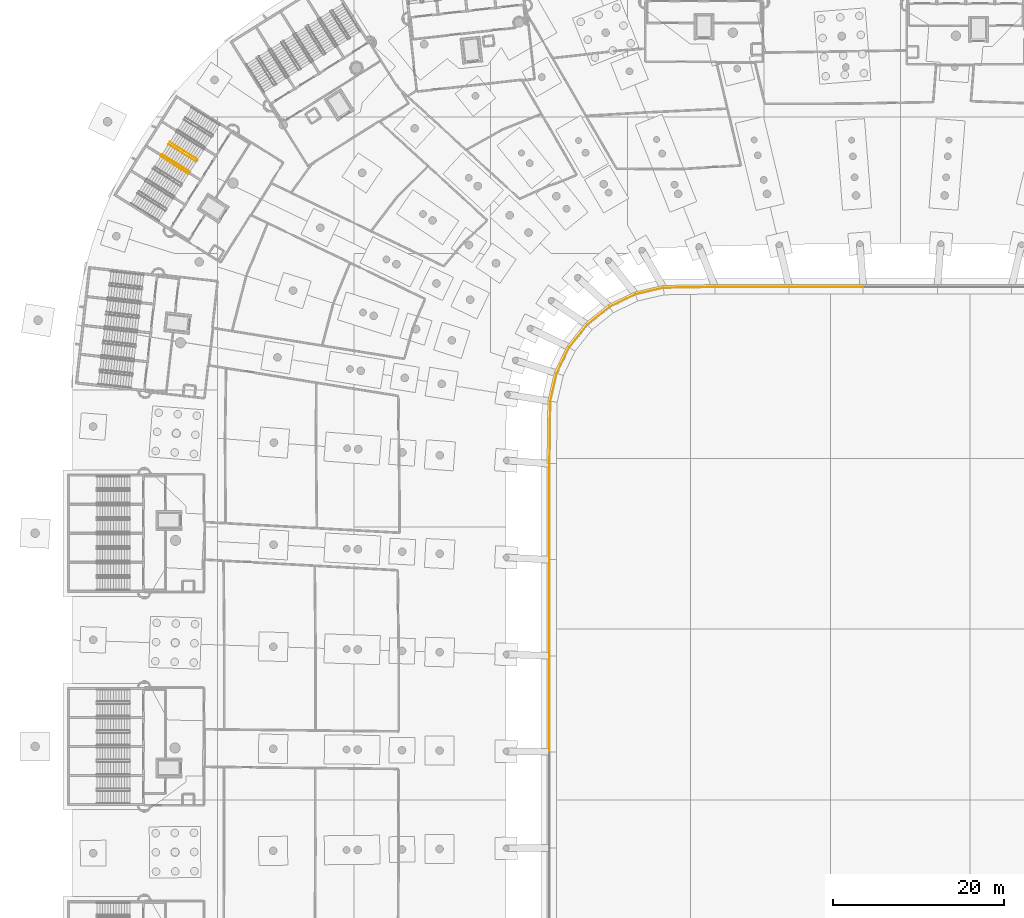
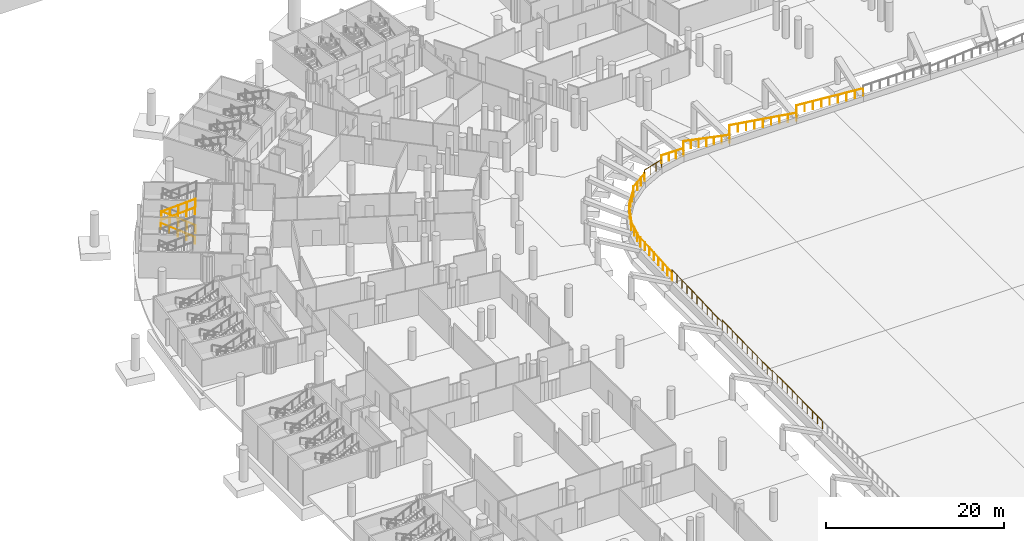
# One storey, part 130 of 142: 17 railings.
"""IFC4 building model written with IfcOpenShell, lengths in metres."""

from ifc_helpers import new_model, si_unit, direction, frame, origin, origin_2d, place, context, subcontext, project, spatial, circle, extrude, material, type_object, element, save


model = new_model("IFC4")

# Units and contexts
model_context = context("Model", 3, precision=1e-05, world=origin(), true_north=direction((0.0, 1.0)))
body_context = subcontext(model_context, "Body", "Model", "MODEL_VIEW")
ifc_project = project(units=[si_unit("LENGTHUNIT", "METRE"), si_unit("AREAUNIT", "SQUARE_METRE"), si_unit("VOLUMEUNIT", "CUBIC_METRE"), si_unit("PLANEANGLEUNIT", "RADIAN"), si_unit("MASSUNIT", "GRAM", prefix="KILO")], contexts=[model_context])

# Site, building, storey
site_placement = place(None, origin())
site = spatial("IfcSite", under=ifc_project, at=site_placement, CompositionType="ELEMENT")
building_placement = place(site_placement, origin())
building = spatial("IfcBuilding", under=site, at=building_placement, Name="Meseta Stadium", CompositionType="ELEMENT")
storey_placement = place(building_placement, frame((0.0, 0.0, -4.0)))
storey = spatial("IfcBuildingStorey", under=building, at=storey_placement, Name="B1", CompositionType="ELEMENT", Elevation=-4.0)

# Railings
ifc_material_1 = material(Name="Steel S355", Category="steel")
railing_type_1 = type_object("IfcRailingType", Name="Stair guard 1100", PredefinedType="GUARDRAIL", material=ifc_material_1)
railing_1_placement = place(storey_placement, frame((-82.356201171875, 75.029052734375, 0.15380859375)))
element("IfcRailing", 1, at=railing_1_placement, inside=storey, type_object=railing_type_1, Name="ST54 B1 guard 1", PredefinedType="GUARDRAIL", context=body_context, shape_type="SweptSolid", body=[
    extrude(circle(Radius=0.02392578125, at=origin_2d()), frame((0.0, 0.0, 1.076171875), z_axis=(-0.763116583952, 0.479483373968, 0.433299865434), x_axis=(-0.532020497206, -0.84673147488, 0.0)), (0.0, 0.0, 1.0), 4.2607421875),
    extrude(circle(Radius=0.02099609375, at=origin_2d()), origin(), (0.0, 0.0, 1.0), 1.052001953125),
    extrude(circle(Radius=0.02099609375, at=origin_2d()), frame((-0.81298828125, 0.5107421875, 0.46142578125)), (0.0, 0.0, 1.0), 1.052001953125),
    extrude(circle(Radius=0.02099609375, at=origin_2d()), frame((-1.625732421875, 1.021484375, 0.923095703125)), (0.0, 0.0, 1.0), 1.052001953125),
    extrude(circle(Radius=0.02099609375, at=origin_2d()), frame((-2.4384765625, 1.5322265625, 1.384765625)), (0.0, 0.0, 1.0), 1.052001953125),
    extrude(circle(Radius=0.02099609375, at=origin_2d()), frame((-3.25146484375, 2.04296875, 1.84619140625)), (0.0, 0.0, 1.0), 1.052001953125),
])
railing_2_placement = place(storey_placement, frame((-85.767333984375, 76.818115234375, 2.15380859375)))
element("IfcRailing", 2, at=railing_2_placement, inside=storey, type_object=railing_type_1, Name="ST54 B1 guard 3", PredefinedType="GUARDRAIL", context=body_context, shape_type="SweptSolid", body=[
    extrude(circle(Radius=0.02392578125, at=origin_2d()), frame((0.0, 0.0, 1.076171875), z_axis=(0.763116583952, -0.479483373968, 0.433299865434), x_axis=(0.532020497206, 0.84673147488, 0.0)), (0.0, 0.0, 1.0), 4.2607421875),
    extrude(circle(Radius=0.02099609375, at=origin_2d()), origin(), (0.0, 0.0, 1.0), 1.052001953125),
    extrude(circle(Radius=0.02099609375, at=origin_2d()), frame((0.81298828125, -0.5107421875, 0.46142578125)), (0.0, 0.0, 1.0), 1.052001953125),
    extrude(circle(Radius=0.02099609375, at=origin_2d()), frame((1.625732421875, -1.021484375, 0.923095703125)), (0.0, 0.0, 1.0), 1.052001953125),
    extrude(circle(Radius=0.02099609375, at=origin_2d()), frame((2.4384765625, -1.5322265625, 1.384765625)), (0.0, 0.0, 1.0), 1.052001953125),
    extrude(circle(Radius=0.02099609375, at=origin_2d()), frame((3.25146484375, -2.04296875, 1.84619140625)), (0.0, 0.0, 1.0), 1.052001953125),
])
ifc_material_2 = material(Name="Steel S355", Category="steel")
railing_type_2 = type_object("IfcRailingType", Name="Stair handrail 900", PredefinedType="HANDRAIL", material=ifc_material_2)
railing_3_placement = place(storey_placement, frame((-86.51220703125, 75.632568359375, 2.15380859375)))
element("IfcRailing", 3, at=railing_3_placement, inside=storey, type_object=railing_type_2, Name="ST54 B1 handrail 2", PredefinedType="HANDRAIL", context=body_context, shape_type="SweptSolid", body=[
    extrude(circle(Radius=0.02392578125, at=origin_2d()), frame((0.0, 0.0, 0.8759765625), z_axis=(0.763116583952, -0.479483373968, 0.433299865434), x_axis=(0.532020497206, 0.84673147488, 0.0)), (0.0, 0.0, 1.0), 4.2607421875),
    extrude(circle(Radius=0.02099609375, at=origin_2d()), origin(), (0.0, 0.0, 1.0), 0.851806640625),
    extrude(circle(Radius=0.02099609375, at=origin_2d()), frame((0.81298828125, -0.5107421875, 0.46142578125)), (0.0, 0.0, 1.0), 0.851806640625),
    extrude(circle(Radius=0.02099609375, at=origin_2d()), frame((1.625732421875, -1.021484375, 0.923095703125)), (0.0, 0.0, 1.0), 0.851806640625),
    extrude(circle(Radius=0.02099609375, at=origin_2d()), frame((2.4384765625, -1.5322265625, 1.384765625)), (0.0, 0.0, 1.0), 0.851806640625),
    extrude(circle(Radius=0.02099609375, at=origin_2d()), frame((3.25146484375, -2.04296875, 1.84619140625)), (0.0, 0.0, 1.0), 0.851806640625),
])
railing_4_placement = place(storey_placement, frame((-83.42041015625, 73.335693359375, 0.15380859375)))
element("IfcRailing", 4, at=railing_4_placement, inside=storey, type_object=railing_type_2, Name="ST55 B1 handrail 1", PredefinedType="HANDRAIL", context=body_context, shape_type="SweptSolid", body=[
    extrude(circle(Radius=0.02392578125, at=origin_2d()), frame((0.0, 0.0, 0.8759765625), z_axis=(-0.763116583952, 0.479483373968, 0.433299865434), x_axis=(-0.532020497206, -0.84673147488, 0.0)), (0.0, 0.0, 1.0), 4.2607421875),
    extrude(circle(Radius=0.02099609375, at=origin_2d()), origin(), (0.0, 0.0, 1.0), 0.851806640625),
    extrude(circle(Radius=0.02099609375, at=origin_2d()), frame((-0.81298828125, 0.5107421875, 0.46142578125)), (0.0, 0.0, 1.0), 0.851806640625),
    extrude(circle(Radius=0.02099609375, at=origin_2d()), frame((-1.625732421875, 1.021484375, 0.923095703125)), (0.0, 0.0, 1.0), 0.851806640625),
    extrude(circle(Radius=0.02099609375, at=origin_2d()), frame((-2.4384765625, 1.5322265625, 1.384765625)), (0.0, 0.0, 1.0), 0.851806640625),
    extrude(circle(Radius=0.02099609375, at=origin_2d()), frame((-3.25146484375, 2.04296875, 1.84619140625)), (0.0, 0.0, 1.0), 0.851806640625),
])
ifc_material_3 = material(Name="Steel S355", Category="steel")
railing_type_3 = type_object("IfcRailingType", Name="Stand edge guard 1100", PredefinedType="GUARDRAIL", material=ifc_material_3)
railing_5_placement = place(storey_placement, frame((-4.34130859375, 60.099609375, 0.704345703125)))
element("IfcRailing", 5, at=railing_5_placement, inside=storey, type_object=railing_type_3, Name="Stand lower tier front guard bay 20", PredefinedType="GUARDRAIL", context=body_context, shape_type="SweptSolid", body=[
    extrude(circle(Radius=0.02490234375, at=origin_2d()), frame((0.0, 0.0, 1.0751953125), z_axis=(-0.996830558854, -0.000252284104, 0.079553587526), x_axis=(0.000253086238, -0.999999967974, 0.0)), (0.0, 0.0, 1.0), 8.70947265625),
    extrude(circle(Radius=0.02001953125, at=origin_2d()), origin(), (0.0, 0.0, 1.0), 1.050048828125),
    extrude(circle(Radius=0.02001953125, at=origin_2d()), frame((-1.085205078125, -0.000244140625, 0.086669921875)), (0.0, 0.0, 1.0), 1.050048828125),
    extrude(circle(Radius=0.02001953125, at=origin_2d()), frame((-2.17041015625, -0.00048828125, 0.17333984375)), (0.0, 0.0, 1.0), 1.050048828125),
    extrude(circle(Radius=0.02001953125, at=origin_2d()), frame((-3.255615234375, -0.000732421875, 0.259765625)), (0.0, 0.0, 1.0), 1.050048828125),
    extrude(circle(Radius=0.02001953125, at=origin_2d()), frame((-4.3408203125, -0.0009765625, 0.346435546875)), (0.0, 0.0, 1.0), 1.050048828125),
    extrude(circle(Radius=0.02001953125, at=origin_2d()), frame((-5.42626953125, -0.00146484375, 0.43310546875)), (0.0, 0.0, 1.0), 1.050048828125),
    extrude(circle(Radius=0.02001953125, at=origin_2d()), frame((-6.511474609375, -0.001708984375, 0.51953125)), (0.0, 0.0, 1.0), 1.050048828125),
    extrude(circle(Radius=0.02001953125, at=origin_2d()), frame((-7.5966796875, -0.001953125, 0.606201171875)), (0.0, 0.0, 1.0), 1.050048828125),
    extrude(circle(Radius=0.02001953125, at=origin_2d()), frame((-8.681884765625, -0.002197265625, 0.69287109375)), (0.0, 0.0, 1.0), 1.050048828125),
])
railing_6_placement = place(storey_placement, frame((-13.023193359375, 60.097412109375, 0.382080078125)))
element("IfcRailing", 6, at=railing_6_placement, inside=storey, type_object=railing_type_3, Name="Stand lower tier front guard bay 21", PredefinedType="GUARDRAIL", context=body_context, shape_type="SweptSolid", body=[
    extrude(circle(Radius=0.02490234375, at=origin_2d()), frame((0.0, 0.0, 1.0751953125), z_axis=(-0.988338128851, -0.000500353996, 0.152274399377), x_axis=(0.000506257845, -0.999999871851, 0.0)), (0.0, 0.0, 1.0), 8.782958984375),
    extrude(circle(Radius=0.02001953125, at=origin_2d()), origin(), (0.0, 0.0, 1.0), 1.050048828125),
    extrude(circle(Radius=0.02001953125, at=origin_2d()), frame((-1.0849609375, -0.00048828125, 0.167236328125)), (0.0, 0.0, 1.0), 1.050048828125),
    extrude(circle(Radius=0.02001953125, at=origin_2d()), frame((-2.170166015625, -0.0009765625, 0.33447265625)), (0.0, 0.0, 1.0), 1.050048828125),
    extrude(circle(Radius=0.02001953125, at=origin_2d()), frame((-3.255126953125, -0.001708984375, 0.50146484375)), (0.0, 0.0, 1.0), 1.050048828125),
    extrude(circle(Radius=0.02001953125, at=origin_2d()), frame((-4.34033203125, -0.002197265625, 0.668701171875)), (0.0, 0.0, 1.0), 1.050048828125),
    extrude(circle(Radius=0.02001953125, at=origin_2d()), frame((-5.42529296875, -0.002685546875, 0.8359375)), (0.0, 0.0, 1.0), 1.050048828125),
    extrude(circle(Radius=0.02001953125, at=origin_2d()), frame((-6.51025390625, -0.00341796875, 1.0029296875)), (0.0, 0.0, 1.0), 1.050048828125),
    extrude(circle(Radius=0.02001953125, at=origin_2d()), frame((-7.595458984375, -0.00390625, 1.170166015625)), (0.0, 0.0, 1.0), 1.050048828125),
    extrude(circle(Radius=0.02001953125, at=origin_2d()), frame((-8.680419921875, -0.00439453125, 1.33740234375)), (0.0, 0.0, 1.0), 1.050048828125),
])
railing_7_placement = place(storey_placement, frame((-21.70361328125, 60.093017578125, 0.40087890625)))
element("IfcRailing", 7, at=railing_7_placement, inside=storey, type_object=railing_type_3, Name="Stand lower tier front guard bay 22", PredefinedType="GUARDRAIL", context=body_context, shape_type="SweptSolid", body=[
    extrude(circle(Radius=0.02490234375, at=origin_2d()), frame((0.0, 0.0, 1.0751953125), z_axis=(-0.977386786679, -0.016354458427, 0.21082599677), x_axis=(0.016730499741, -0.999860035394, 0.0)), (0.0, 0.0, 1.0), 6.165283203125),
    extrude(circle(Radius=0.02001953125, at=origin_2d()), origin(), (0.0, 0.0, 1.0), 1.050048828125),
    extrude(circle(Radius=0.02001953125, at=origin_2d()), frame((-1.00439453125, -0.016845703125, 0.216552734375)), (0.0, 0.0, 1.0), 1.050048828125),
    extrude(circle(Radius=0.02001953125, at=origin_2d()), frame((-2.008544921875, -0.03369140625, 0.433349609375)), (0.0, 0.0, 1.0), 1.050048828125),
    extrude(circle(Radius=0.02001953125, at=origin_2d()), frame((-3.012939453125, -0.05029296875, 0.64990234375)), (0.0, 0.0, 1.0), 1.050048828125),
    extrude(circle(Radius=0.02001953125, at=origin_2d()), frame((-4.017333984375, -0.067138671875, 0.866455078125)), (0.0, 0.0, 1.0), 1.050048828125),
    extrude(circle(Radius=0.02001953125, at=origin_2d()), frame((-5.021484375, -0.083984375, 1.083251953125)), (0.0, 0.0, 1.0), 1.050048828125),
    extrude(circle(Radius=0.02001953125, at=origin_2d()), frame((-6.02587890625, -0.100830078125, 1.2998046875)), (0.0, 0.0, 1.0), 1.050048828125),
])
railing_8_placement = place(storey_placement, frame((-27.7294921875, 59.9921875, 0.7333984375)))
element("IfcRailing", 8, at=railing_8_placement, inside=storey, type_object=railing_type_3, Name="Stand lower tier front guard bay 23", PredefinedType="GUARDRAIL", context=body_context, shape_type="SweptSolid", body=[
    extrude(circle(Radius=0.02490234375, at=origin_2d()), frame((0.0, 0.0, 1.0751953125), z_axis=(-0.957750151687, -0.220269732643, 0.184921312519), x_axis=(0.224135320488, -0.974558032192, 0.0)), (0.0, 0.0, 1.0), 3.4326171875),
    extrude(circle(Radius=0.02001953125, at=origin_2d()), origin(), (0.0, 0.0, 1.0), 1.050048828125),
    extrude(circle(Radius=0.02001953125, at=origin_2d()), frame((-1.095947265625, -0.251953125, 0.211669921875)), (0.0, 0.0, 1.0), 1.050048828125),
    extrude(circle(Radius=0.02001953125, at=origin_2d()), frame((-2.191650390625, -0.504150390625, 0.423095703125)), (0.0, 0.0, 1.0), 1.050048828125),
    extrude(circle(Radius=0.02001953125, at=origin_2d()), frame((-3.28759765625, -0.756103515625, 0.634765625)), (0.0, 0.0, 1.0), 1.050048828125),
])
railing_9_placement = place(storey_placement, frame((-31.01708984375, 59.236083984375, 0.791748046875)))
element("IfcRailing", 9, at=railing_9_placement, inside=storey, type_object=railing_type_3, Name="Stand lower tier front guard bay 24", PredefinedType="GUARDRAIL", context=body_context, shape_type="SweptSolid", body=[
    extrude(circle(Radius=0.02490234375, at=origin_2d()), frame((0.0, 0.0, 1.0751953125), z_axis=(-0.889933187365, -0.430086681868, 0.151803715722), x_axis=(0.435129546324, -0.900367856998, 0.0)), (0.0, 0.0, 1.0), 3.412841796875),
    extrude(circle(Radius=0.02001953125, at=origin_2d()), origin(), (0.0, 0.0, 1.0), 1.050048828125),
    extrude(circle(Radius=0.02001953125, at=origin_2d()), frame((-1.012451171875, -0.4892578125, 0.172607421875)), (0.0, 0.0, 1.0), 1.050048828125),
    extrude(circle(Radius=0.02001953125, at=origin_2d()), frame((-2.024658203125, -0.978515625, 0.345458984375)), (0.0, 0.0, 1.0), 1.050048828125),
    extrude(circle(Radius=0.02001953125, at=origin_2d()), frame((-3.037109375, -1.4677734375, 0.51806640625)), (0.0, 0.0, 1.0), 1.050048828125),
])
railing_10_placement = place(storey_placement, frame((-34.05419921875, 57.768310546875, 0.8544921875)))
element("IfcRailing", 10, at=railing_10_placement, inside=storey, type_object=railing_type_3, Name="Stand lower tier front guard bay 25", PredefinedType="GUARDRAIL", context=body_context, shape_type="SweptSolid", body=[
    extrude(circle(Radius=0.02490234375, at=origin_2d()), frame((0.0, 0.0, 1.0751953125), z_axis=(-0.775984803818, -0.620054561139, 0.115671627695), x_axis=(0.624244799045, -0.781228795466, 0.0)), (0.0, 0.0, 1.0), 3.39599609375),
    extrude(circle(Radius=0.02001953125, at=origin_2d()), origin(), (0.0, 0.0, 1.0), 1.050048828125),
    extrude(circle(Radius=0.02001953125, at=origin_2d()), frame((-0.87841796875, -0.701904296875, 0.130859375)), (0.0, 0.0, 1.0), 1.050048828125),
    extrude(circle(Radius=0.02001953125, at=origin_2d()), frame((-1.7568359375, -1.40380859375, 0.261962890625)), (0.0, 0.0, 1.0), 1.050048828125),
    extrude(circle(Radius=0.02001953125, at=origin_2d()), frame((-2.63525390625, -2.105712890625, 0.392822265625)), (0.0, 0.0, 1.0), 1.050048828125),
])
railing_11_placement = place(storey_placement, frame((-36.689453125, 55.66259765625, 0.92041015625)))
element("IfcRailing", 11, at=railing_11_placement, inside=storey, type_object=railing_type_3, Name="Stand lower tier front guard bay 26", PredefinedType="GUARDRAIL", context=body_context, shape_type="SweptSolid", body=[
    extrude(circle(Radius=0.02490234375, at=origin_2d()), frame((0.0, 0.0, 1.0751953125), z_axis=(-0.621107743399, -0.779920260037, 0.077133384955), x_axis=(0.782250755102, -0.62296368766, 0.0)), (0.0, 0.0, 1.0), 3.383544921875),
    extrude(circle(Radius=0.02001953125, at=origin_2d()), origin(), (0.0, 0.0, 1.0), 1.050048828125),
    extrude(circle(Radius=0.02001953125, at=origin_2d()), frame((-0.700439453125, -0.879638671875, 0.0869140625)), (0.0, 0.0, 1.0), 1.050048828125),
    extrude(circle(Radius=0.02001953125, at=origin_2d()), frame((-1.401123046875, -1.75927734375, 0.174072265625)), (0.0, 0.0, 1.0), 1.050048828125),
    extrude(circle(Radius=0.02001953125, at=origin_2d()), frame((-2.1015625, -2.638916015625, 0.260986328125)), (0.0, 0.0, 1.0), 1.050048828125),
])
railing_12_placement = place(storey_placement, frame((-38.791015625, 53.023681640625, 0.98828125)))
element("IfcRailing", 12, at=railing_12_placement, inside=storey, type_object=railing_type_3, Name="Stand lower tier front guard bay 27", PredefinedType="GUARDRAIL", context=body_context, shape_type="SweptSolid", body=[
    extrude(circle(Radius=0.02490234375, at=origin_2d()), frame((0.0, 0.0, 1.0751953125), z_axis=(-0.433314642165, -0.900478600393, 0.037104057992), x_axis=(0.901099090594, -0.43361322504, 0.0)), (0.0, 0.0, 1.0), 3.37548828125),
    extrude(circle(Radius=0.02001953125, at=origin_2d()), origin(), (0.0, 0.0, 1.0), 1.050048828125),
    extrude(circle(Radius=0.02001953125, at=origin_2d()), frame((-0.487548828125, -1.01318359375, 0.041748046875)), (0.0, 0.0, 1.0), 1.050048828125),
    extrude(circle(Radius=0.02001953125, at=origin_2d()), frame((-0.97509765625, -2.0263671875, 0.08349609375)), (0.0, 0.0, 1.0), 1.050048828125),
    extrude(circle(Radius=0.02001953125, at=origin_2d()), frame((-1.462646484375, -3.03955078125, 0.125244140625)), (0.0, 0.0, 1.0), 1.050048828125),
])
railing_13_placement = place(storey_placement, frame((-40.253662109375, 49.984130859375, 1.05712890625)))
element("IfcRailing", 13, at=railing_13_placement, inside=storey, type_object=railing_type_3, Name="Stand lower tier front guard bay 28", PredefinedType="GUARDRAIL", context=body_context, shape_type="SweptSolid", body=[
    extrude(circle(Radius=0.02490234375, at=origin_2d()), frame((0.0, 0.0, 1.0751953125), z_axis=(-0.222542206518, -0.974915793172, -0.003763315362), x_axis=(0.974922696888, -0.222543782416, 0.0)), (0.0, 0.0, 1.0), 3.37353515625),
    extrude(circle(Radius=0.02001953125, at=origin_2d()), origin(), (0.0, 0.0, 1.0), 1.050048828125),
    extrude(circle(Radius=0.02001953125, at=origin_2d()), frame((-0.250244140625, -1.09619140625, -0.004150390625)), (0.0, 0.0, 1.0), 1.050048828125),
    extrude(circle(Radius=0.02001953125, at=origin_2d()), frame((-0.50048828125, -2.192626953125, -0.008544921875)), (0.0, 0.0, 1.0), 1.050048828125),
    extrude(circle(Radius=0.02001953125, at=origin_2d()), frame((-0.750732421875, -3.288818359375, -0.0126953125)), (0.0, 0.0, 1.0), 1.050048828125),
])
railing_14_placement = place(storey_placement, frame((-41.00439453125, 46.6953125, 1.246826171875)))
element("IfcRailing", 14, at=railing_14_placement, inside=storey, type_object=railing_type_3, Name="Stand lower tier front guard bay 29", PredefinedType="GUARDRAIL", context=body_context, shape_type="SweptSolid", body=[
    extrude(circle(Radius=0.02490234375, at=origin_2d()), frame((0.0, 0.0, 1.0751953125), z_axis=(-0.01300108037, -0.99848297239, -0.053504446137), x_axis=(0.999915239727, -0.013019729684, 0.0)), (0.0, 0.0, 1.0), 7.32373046875),
    extrude(circle(Radius=0.02001953125, at=origin_2d()), origin(), (0.0, 0.0, 1.0), 1.050048828125),
    extrude(circle(Radius=0.02001953125, at=origin_2d()), frame((-0.013671875, -1.044677734375, -0.055908203125)), (0.0, 0.0, 1.0), 1.050048828125),
    extrude(circle(Radius=0.02001953125, at=origin_2d()), frame((-0.027099609375, -2.08935546875, -0.112060546875)), (0.0, 0.0, 1.0), 1.050048828125),
    extrude(circle(Radius=0.02001953125, at=origin_2d()), frame((-0.040771484375, -3.134033203125, -0.16796875)), (0.0, 0.0, 1.0), 1.050048828125),
    extrude(circle(Radius=0.02001953125, at=origin_2d()), frame((-0.054443359375, -4.178466796875, -0.223876953125)), (0.0, 0.0, 1.0), 1.050048828125),
    extrude(circle(Radius=0.02001953125, at=origin_2d()), frame((-0.068115234375, -5.22314453125, -0.27978515625)), (0.0, 0.0, 1.0), 1.050048828125),
    extrude(circle(Radius=0.02001953125, at=origin_2d()), frame((-0.08154296875, -6.267822265625, -0.3359375)), (0.0, 0.0, 1.0), 1.050048828125),
    extrude(circle(Radius=0.02001953125, at=origin_2d()), frame((-0.09521484375, -7.3125, -0.391845703125)), (0.0, 0.0, 1.0), 1.050048828125),
])
railing_15_placement = place(storey_placement, frame((-41.099609375, 39.3828125, 1.2392578125)))
element("IfcRailing", 15, at=railing_15_placement, inside=storey, type_object=railing_type_3, Name="Stand lower tier front guard bay 30", PredefinedType="GUARDRAIL", context=body_context, shape_type="SweptSolid", body=[
    extrude(circle(Radius=0.02490234375, at=origin_2d()), frame((0.0, 0.0, 1.0751953125), z_axis=(-2.1685018e-05, -0.999440783537, -0.033438297386), x_axis=(0.999999999765, -2.1697151e-05, 0.0)), (0.0, 0.0, 1.0), 11.258544921875),
    extrude(circle(Radius=0.02001953125, at=origin_2d()), origin(), (0.0, 0.0, 1.0), 1.050048828125),
    extrude(circle(Radius=0.02001953125, at=origin_2d()), frame((0.0, -1.125244140625, -0.03759765625)), (0.0, 0.0, 1.0), 1.050048828125),
    extrude(circle(Radius=0.02001953125, at=origin_2d()), frame((0.0, -2.25048828125, -0.0751953125)), (0.0, 0.0, 1.0), 1.050048828125),
    extrude(circle(Radius=0.02001953125, at=origin_2d()), frame((0.0, -3.375732421875, -0.113037109375)), (0.0, 0.0, 1.0), 1.050048828125),
    extrude(circle(Radius=0.02001953125, at=origin_2d()), frame((0.0, -4.5009765625, -0.150634765625)), (0.0, 0.0, 1.0), 1.050048828125),
    extrude(circle(Radius=0.02001953125, at=origin_2d()), frame((0.0, -5.6259765625, -0.188232421875)), (0.0, 0.0, 1.0), 1.050048828125),
    extrude(circle(Radius=0.02001953125, at=origin_2d()), frame((-0.000244140625, -6.751220703125, -0.225830078125)), (0.0, 0.0, 1.0), 1.050048828125),
    extrude(circle(Radius=0.02001953125, at=origin_2d()), frame((-0.000244140625, -7.87646484375, -0.263427734375)), (0.0, 0.0, 1.0), 1.050048828125),
    extrude(circle(Radius=0.02001953125, at=origin_2d()), frame((-0.000244140625, -9.001708984375, -0.30126953125)), (0.0, 0.0, 1.0), 1.050048828125),
    extrude(circle(Radius=0.02001953125, at=origin_2d()), frame((-0.000244140625, -10.126953125, -0.3388671875)), (0.0, 0.0, 1.0), 1.050048828125),
    extrude(circle(Radius=0.02001953125, at=origin_2d()), frame((-0.000244140625, -11.252197265625, -0.37646484375)), (0.0, 0.0, 1.0), 1.050048828125),
])
railing_16_placement = place(storey_placement, frame((-41.099853515625, 28.130615234375, 1.1767578125)))
element("IfcRailing", 16, at=railing_16_placement, inside=storey, type_object=railing_type_3, Name="Stand lower tier front guard bay 31", PredefinedType="GUARDRAIL", context=body_context, shape_type="SweptSolid", body=[
    extrude(circle(Radius=0.02490234375, at=origin_2d()), frame((0.0, 0.0, 1.0751953125), z_axis=(0.0, -0.999750375479, -0.022342487074), x_axis=(1.0, 0.0, 0.0)), (0.0, 0.0, 1.0), 11.255126953125),
    extrude(circle(Radius=0.02001953125, at=origin_2d()), origin(), (0.0, 0.0, 1.0), 1.050048828125),
    extrude(circle(Radius=0.02001953125, at=origin_2d()), frame((0.0, -1.125244140625, -0.025146484375)), (0.0, 0.0, 1.0), 1.050048828125),
    extrude(circle(Radius=0.02001953125, at=origin_2d()), frame((0.0, -2.25048828125, -0.05029296875)), (0.0, 0.0, 1.0), 1.050048828125),
    extrude(circle(Radius=0.02001953125, at=origin_2d()), frame((0.0, -3.375732421875, -0.075439453125)), (0.0, 0.0, 1.0), 1.050048828125),
    extrude(circle(Radius=0.02001953125, at=origin_2d()), frame((0.0, -4.5009765625, -0.1005859375)), (0.0, 0.0, 1.0), 1.050048828125),
    extrude(circle(Radius=0.02001953125, at=origin_2d()), frame((0.0, -5.6259765625, -0.125732421875)), (0.0, 0.0, 1.0), 1.050048828125),
    extrude(circle(Radius=0.02001953125, at=origin_2d()), frame((0.0, -6.751220703125, -0.15087890625)), (0.0, 0.0, 1.0), 1.050048828125),
    extrude(circle(Radius=0.02001953125, at=origin_2d()), frame((0.0, -7.87646484375, -0.176025390625)), (0.0, 0.0, 1.0), 1.050048828125),
    extrude(circle(Radius=0.02001953125, at=origin_2d()), frame((0.0, -9.001708984375, -0.201171875)), (0.0, 0.0, 1.0), 1.050048828125),
    extrude(circle(Radius=0.02001953125, at=origin_2d()), frame((0.0, -10.126953125, -0.226318359375)), (0.0, 0.0, 1.0), 1.050048828125),
    extrude(circle(Radius=0.02001953125, at=origin_2d()), frame((0.0, -11.252197265625, -0.25146484375)), (0.0, 0.0, 1.0), 1.050048828125),
])
railing_17_placement = place(storey_placement, frame((-41.099853515625, 16.87841796875, 1.114013671875)))
element("IfcRailing", 17, at=railing_17_placement, inside=storey, type_object=railing_type_3, Name="Stand lower tier front guard bay 32", PredefinedType="GUARDRAIL", context=body_context, shape_type="SweptSolid", body=[
    extrude(circle(Radius=0.02490234375, at=origin_2d()), frame((0.0, 0.0, 1.0751953125), z_axis=(-2.1695791e-05, -0.999937333471, -0.011195028403), x_axis=(0.999999999765, -2.1697151e-05, 0.0)), (0.0, 0.0, 1.0), 11.2529296875),
    extrude(circle(Radius=0.02001953125, at=origin_2d()), origin(), (0.0, 0.0, 1.0), 1.050048828125),
    extrude(circle(Radius=0.02001953125, at=origin_2d()), frame((0.0, -1.125244140625, -0.0126953125)), (0.0, 0.0, 1.0), 1.050048828125),
    extrude(circle(Radius=0.02001953125, at=origin_2d()), frame((0.0, -2.25048828125, -0.025146484375)), (0.0, 0.0, 1.0), 1.050048828125),
    extrude(circle(Radius=0.02001953125, at=origin_2d()), frame((0.0, -3.375732421875, -0.037841796875)), (0.0, 0.0, 1.0), 1.050048828125),
    extrude(circle(Radius=0.02001953125, at=origin_2d()), frame((0.0, -4.5009765625, -0.05029296875)), (0.0, 0.0, 1.0), 1.050048828125),
    extrude(circle(Radius=0.02001953125, at=origin_2d()), frame((0.0, -5.6259765625, -0.06298828125)), (0.0, 0.0, 1.0), 1.050048828125),
    extrude(circle(Radius=0.02001953125, at=origin_2d()), frame((-0.000244140625, -6.751220703125, -0.07568359375)), (0.0, 0.0, 1.0), 1.050048828125),
    extrude(circle(Radius=0.02001953125, at=origin_2d()), frame((-0.000244140625, -7.87646484375, -0.088134765625)), (0.0, 0.0, 1.0), 1.050048828125),
    extrude(circle(Radius=0.02001953125, at=origin_2d()), frame((-0.000244140625, -9.001708984375, -0.100830078125)), (0.0, 0.0, 1.0), 1.050048828125),
    extrude(circle(Radius=0.02001953125, at=origin_2d()), frame((-0.000244140625, -10.126953125, -0.11328125)), (0.0, 0.0, 1.0), 1.050048828125),
    extrude(circle(Radius=0.02001953125, at=origin_2d()), frame((-0.000244140625, -11.252197265625, -0.1259765625)), (0.0, 0.0, 1.0), 1.050048828125),
])

save(model, "model.ifc")
